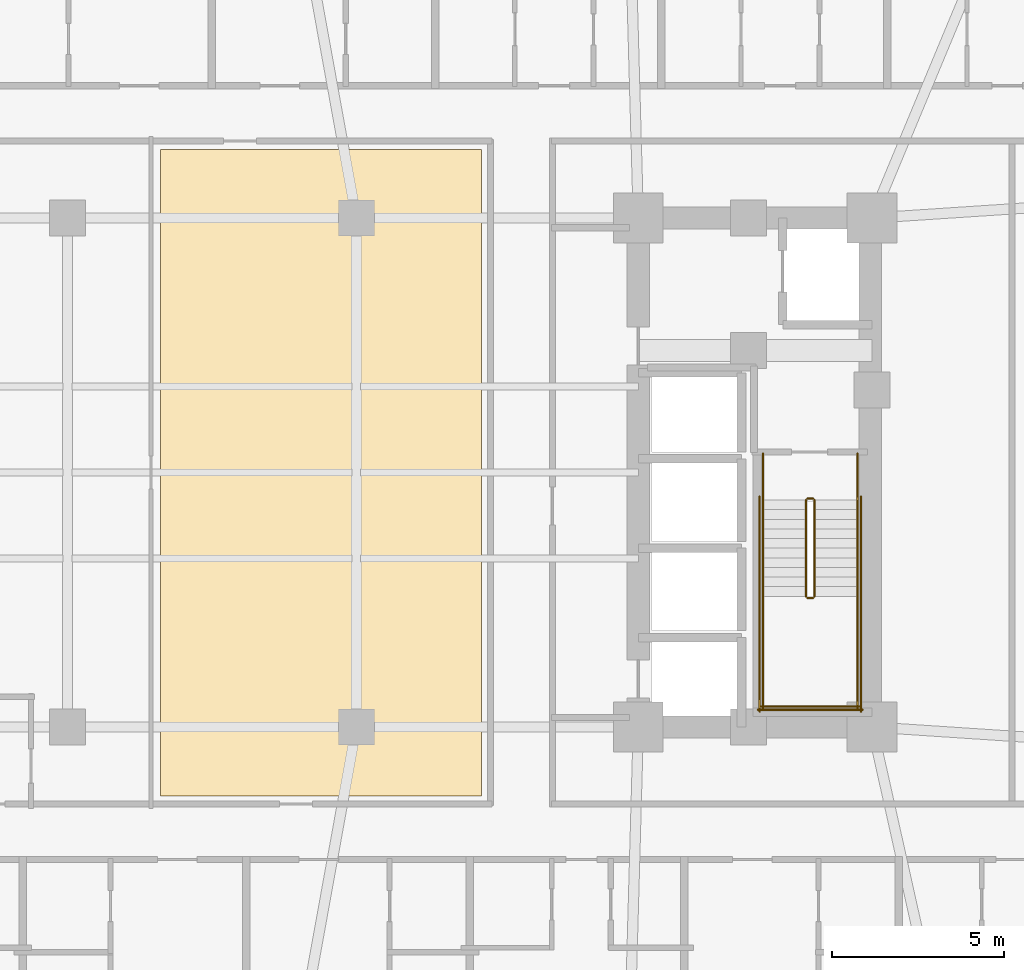
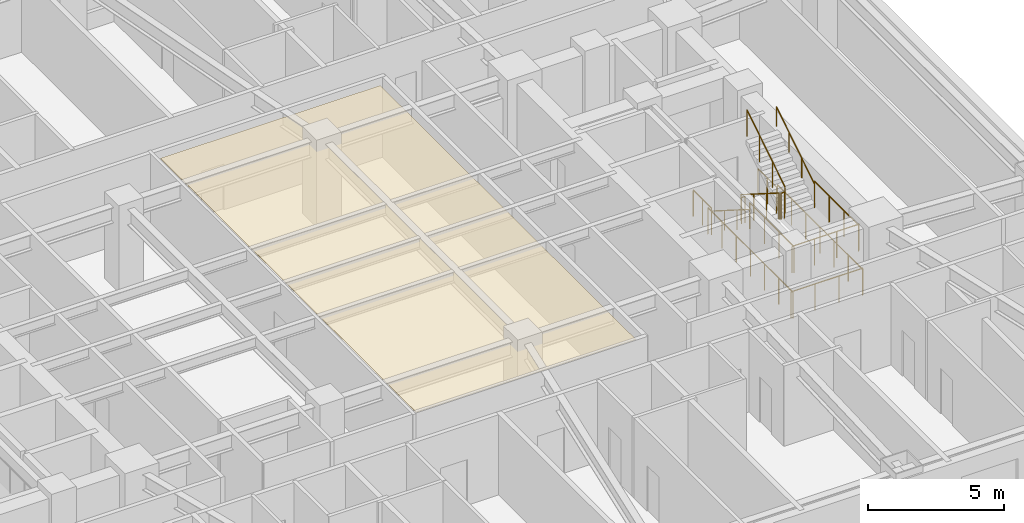
# One storey, part 11 of 11: 14 railings, 1 covering.
"""IFC4 building model written with IfcOpenShell, lengths in metres."""

from ifc_helpers import new_model, si_unit, direction, frame, origin, origin_2d, place, context, subcontext, project, spatial, polyline, circle, outline, extrude, material, layer, layer_set, type_object, element, save


model = new_model("IFC4")

# Units and contexts
model_context = context("Model", 3, precision=1e-05, world=origin(), true_north=direction((0.0, 1.0)))
body_context = subcontext(model_context, "Body", "Model", "MODEL_VIEW")
ifc_project = project(units=[si_unit("LENGTHUNIT", "METRE"), si_unit("AREAUNIT", "SQUARE_METRE"), si_unit("VOLUMEUNIT", "CUBIC_METRE"), si_unit("PLANEANGLEUNIT", "RADIAN"), si_unit("MASSUNIT", "GRAM", prefix="KILO")], contexts=[model_context])

# Site, building, storey
site_placement = place(None, origin())
site = spatial("IfcSite", under=ifc_project, at=site_placement, CompositionType="ELEMENT")
building_placement = place(site_placement, origin())
building = spatial("IfcBuilding", under=site, at=building_placement, Name="Voryun Gate Residences", CompositionType="ELEMENT")
storey_placement = place(building_placement, frame((0.0, 0.0, 76.699951171875)))
storey = spatial("IfcBuildingStorey", under=building, at=storey_placement, Name="L18", CompositionType="ELEMENT", Elevation=76.699951171875)

# Covering
ifc_material_1 = material(Name="Gypsum acoustic ceiling")
ifc_layer = layer(ifc_material_1, 0.02490234375, Name="COV_CEILING_ACOUSTIC")
ifc_layer_set = layer_set([ifc_layer], Name="Gypsum acoustic ceiling")
covering_type = type_object("IfcCoveringType", Name="COV_CEILING_ACOUSTIC", PredefinedType="CEILING", material=ifc_layer_set)
covering_placement = place(storey_placement, frame((0.0, 0.0, 3.35009765625)))
element("IfcCovering", 1, at=covering_placement, inside=storey, type_object=covering_type, Name="Acoustic ceiling CLG-L18-01", PredefinedType="CEILING", context=body_context, shape_type="SweptSolid", body=[
    extrude(outline(polyline([(-1.492919921875, 9.39990234375), (7.840087890625, 9.39990234375), (7.840087890625, -9.39990234375), (-1.492919921875, -9.39990234375), (-1.492919921875, 9.39990234375)])), origin(), (0.0, 0.0, 1.0), 0.02490234375),
])

# Railings
ifc_material_2 = material(Name="Painted steel", Category="steel")
railing_type_1 = type_object("IfcRailingType", Name="RAIL_STAIR_GUARD_1200", PredefinedType="GUARDRAIL", material=ifc_material_2)
railing_1_placement = place(storey_placement, frame((17.27490234375, -0.800048828125, 0.17724609375)))
element("IfcRailing", 2, at=railing_1_placement, inside=storey, type_object=railing_type_1, Name="L18 ST-E1 stair guard 1", PredefinedType="GUARDRAIL", context=body_context, shape_type="SweptSolid", body=[
    extrude(circle(Radius=0.02392578125, at=origin_2d()), frame((0.0, 0.0, 1.17578125), z_axis=(0.0, -0.844908973607, 0.534910110503), x_axis=(1.0, 0.0, 0.0)), (0.0, 0.0, 1.0), 3.31396484375),
    extrude(circle(Radius=0.02099609375, at=origin_2d()), origin(), (0.0, 0.0, 1.0), 1.15185546875),
    extrude(circle(Radius=0.02099609375, at=origin_2d()), frame((0.0, -0.933349609375, 0.5908203125)), (0.0, 0.0, 1.0), 1.15185546875),
    extrude(circle(Radius=0.02099609375, at=origin_2d()), frame((0.0, -1.86669921875, 1.181884765625)), (0.0, 0.0, 1.0), 1.15185546875),
    extrude(circle(Radius=0.02099609375, at=origin_2d()), frame((0.0, -2.800048828125, 1.772705078125)), (0.0, 0.0, 1.0), 1.15185546875),
])
railing_2_placement = place(storey_placement, frame((17.324951171875, -3.64990234375, 1.949951171875)))
element("IfcRailing", 3, at=railing_2_placement, inside=storey, type_object=railing_type_1, Name="L18 ST-E1 stair guard 2", PredefinedType="GUARDRAIL", context=body_context, shape_type="SweptSolid", body=[
    extrude(circle(Radius=0.02392578125, at=origin_2d()), frame((0.0, 0.0, 1.17578125), z_axis=(1.0, 0.0, 0.0), x_axis=(0.0, 1.0, 0.0)), (0.0, 0.0, 1.0), 0.150146484375),
    extrude(circle(Radius=0.02099609375, at=origin_2d()), origin(), (0.0, 0.0, 1.0), 1.15185546875),
    extrude(circle(Radius=0.02099609375, at=origin_2d()), frame((0.150146484375, 0.0, 0.0)), (0.0, 0.0, 1.0), 1.15185546875),
])
for number, where, name in (
    (4, (16.02490234375, -3.60009765625, 1.949951171875), "L18 ST-E1 stair guard 3"),
    (5, (18.77490234375, -3.60009765625, 1.949951171875), "L18 ST-E1 stair guard 4"),
):
    element("IfcRailing", number, at=place(storey_placement, frame(where)), inside=storey, type_object=railing_type_1, Name=name, PredefinedType="GUARDRAIL", context=body_context, shape_type="SweptSolid", body=[
        extrude(circle(Radius=0.02392578125, at=origin_2d()), frame((0.0, 0.0, 1.17578125), z_axis=(0.0, -1.0, 0.0), x_axis=(1.0, 0.0, 0.0)), (0.0, 0.0, 1.0), 3.25),
        extrude(circle(Radius=0.02099609375, at=origin_2d()), origin(), (0.0, 0.0, 1.0), 1.15185546875),
        extrude(circle(Radius=0.02099609375, at=origin_2d()), frame((0.0, -1.083251953125, 0.0)), (0.0, 0.0, 1.0), 1.15185546875),
        extrude(circle(Radius=0.02099609375, at=origin_2d()), frame((0.0, -2.166748046875, 0.0)), (0.0, 0.0, 1.0), 1.15185546875),
        extrude(circle(Radius=0.02099609375, at=origin_2d()), frame((0.0, -3.25, 0.0)), (0.0, 0.0, 1.0), 1.15185546875),
    ])
railing_3_placement = place(storey_placement, frame((15.97509765625, -6.800048828125, 1.949951171875)))
element("IfcRailing", 6, at=railing_3_placement, inside=storey, type_object=railing_type_1, Name="L18 ST-E1 stair guard 5", PredefinedType="GUARDRAIL", context=body_context, shape_type="SweptSolid", body=[
    extrude(circle(Radius=0.02392578125, at=origin_2d()), frame((0.0, 0.0, 1.17578125), z_axis=(1.0, 0.0, 0.0), x_axis=(0.0, 1.0, 0.0)), (0.0, 0.0, 1.0), 2.849853515625),
    extrude(circle(Radius=0.02099609375, at=origin_2d()), origin(), (0.0, 0.0, 1.0), 1.15185546875),
    extrude(circle(Radius=0.02099609375, at=origin_2d()), frame((0.949951171875, 0.0, 0.0)), (0.0, 0.0, 1.0), 1.15185546875),
    extrude(circle(Radius=0.02099609375, at=origin_2d()), frame((1.89990234375, 0.0, 0.0)), (0.0, 0.0, 1.0), 1.15185546875),
    extrude(circle(Radius=0.02099609375, at=origin_2d()), frame((2.849853515625, 0.0, 0.0)), (0.0, 0.0, 1.0), 1.15185546875),
])
railing_4_placement = place(storey_placement, frame((17.52490234375, -3.60009765625, 2.12744140625)))
element("IfcRailing", 7, at=railing_4_placement, inside=storey, type_object=railing_type_1, Name="L18 ST-E1 stair guard 6", PredefinedType="GUARDRAIL", context=body_context, shape_type="SweptSolid", body=[
    extrude(circle(Radius=0.02392578125, at=origin_2d()), frame((0.0, 0.0, 1.17578125), z_axis=(0.0, 0.844908973607, 0.534910110503), x_axis=(-1.0, 0.0, 0.0)), (0.0, 0.0, 1.0), 3.31396484375),
    extrude(circle(Radius=0.02099609375, at=origin_2d()), origin(), (0.0, 0.0, 1.0), 1.15185546875),
    extrude(circle(Radius=0.02099609375, at=origin_2d()), frame((0.0, 0.933349609375, 0.5908203125)), (0.0, 0.0, 1.0), 1.15185546875),
    extrude(circle(Radius=0.02099609375, at=origin_2d()), frame((0.0, 1.86669921875, 1.181884765625)), (0.0, 0.0, 1.0), 1.15185546875),
    extrude(circle(Radius=0.02099609375, at=origin_2d()), frame((0.0, 2.800048828125, 1.772705078125)), (0.0, 0.0, 1.0), 1.15185546875),
])
railing_5_placement = place(storey_placement, frame((17.324951171875, -0.75, 0.0)))
element("IfcRailing", 8, at=railing_5_placement, inside=storey, type_object=railing_type_1, Name="L18 ST-E1 stair guard 7", PredefinedType="GUARDRAIL", context=body_context, shape_type="SweptSolid", body=[
    extrude(circle(Radius=0.02392578125, at=origin_2d()), frame((0.0, 0.0, 1.17578125), z_axis=(1.0, 0.0, 0.0), x_axis=(0.0, 1.0, 0.0)), (0.0, 0.0, 1.0), 0.150146484375),
    extrude(circle(Radius=0.02099609375, at=origin_2d()), origin(), (0.0, 0.0, 1.0), 1.15185546875),
    extrude(circle(Radius=0.02099609375, at=origin_2d()), frame((0.150146484375, 0.0, 0.0)), (0.0, 0.0, 1.0), 1.15185546875),
])
for number, where, name in (
    (9, (16.02490234375, 0.550048828125, 0.0), "L18 ST-E1 stair guard 8"),
    (10, (18.77490234375, 0.550048828125, 0.0), "L18 ST-E1 stair guard 9"),
):
    element("IfcRailing", number, at=place(storey_placement, frame(where)), inside=storey, type_object=railing_type_1, Name=name, PredefinedType="GUARDRAIL", context=body_context, shape_type="SweptSolid", body=[
        extrude(circle(Radius=0.02392578125, at=origin_2d()), frame((0.0, 0.0, 1.17578125), z_axis=(0.0, -1.0, 0.0), x_axis=(1.0, 0.0, 0.0)), (0.0, 0.0, 1.0), 1.35009765625),
        extrude(circle(Radius=0.02099609375, at=origin_2d()), origin(), (0.0, 0.0, 1.0), 1.15185546875),
        extrude(circle(Radius=0.02099609375, at=origin_2d()), frame((0.0, -0.675048828125, 0.0)), (0.0, 0.0, 1.0), 1.15185546875),
        extrude(circle(Radius=0.02099609375, at=origin_2d()), frame((0.0, -1.35009765625, 0.0)), (0.0, 0.0, 1.0), 1.15185546875),
    ])
for number, where, name in (
    (11, (15.925048828125, -0.699951171875, 0.0), "L18 ST-E1 stair guard 10"),
    (12, (18.875, -0.699951171875, 0.0), "L18 ST-E1 stair guard 11"),
):
    element("IfcRailing", number, at=place(storey_placement, frame(where)), inside=storey, type_object=railing_type_1, Name=name, PredefinedType="GUARDRAIL", context=body_context, shape_type="SweptSolid", body=[
        extrude(circle(Radius=0.02392578125, at=origin_2d()), frame((0.0, 0.0, 1.17578125), z_axis=(0.0, -1.0, 0.0), x_axis=(1.0, 0.0, 0.0)), (0.0, 0.0, 1.0), 6.25),
        extrude(circle(Radius=0.02099609375, at=origin_2d()), origin(), (0.0, 0.0, 1.0), 1.15185546875),
        extrude(circle(Radius=0.02099609375, at=origin_2d()), frame((0.0, -1.041748046875, 0.0)), (0.0, 0.0, 1.0), 1.15185546875),
        extrude(circle(Radius=0.02099609375, at=origin_2d()), frame((0.0, -2.083251953125, 0.0)), (0.0, 0.0, 1.0), 1.15185546875),
        extrude(circle(Radius=0.02099609375, at=origin_2d()), frame((0.0, -3.125, 0.0)), (0.0, 0.0, 1.0), 1.15185546875),
        extrude(circle(Radius=0.02099609375, at=origin_2d()), frame((0.0, -4.166748046875, 0.0)), (0.0, 0.0, 1.0), 1.15185546875),
        extrude(circle(Radius=0.02099609375, at=origin_2d()), frame((0.0, -5.208251953125, 0.0)), (0.0, 0.0, 1.0), 1.15185546875),
        extrude(circle(Radius=0.02099609375, at=origin_2d()), frame((0.0, -6.25, 0.0)), (0.0, 0.0, 1.0), 1.15185546875),
    ])
railing_6_placement = place(storey_placement, frame((15.875, -6.89990234375, 0.0)))
element("IfcRailing", 13, at=railing_6_placement, inside=storey, type_object=railing_type_1, Name="L18 ST-E1 stair guard 12", PredefinedType="GUARDRAIL", context=body_context, shape_type="SweptSolid", body=[
    extrude(circle(Radius=0.02392578125, at=origin_2d()), frame((0.0, 0.0, 1.17578125), z_axis=(1.0, 0.0, 0.0), x_axis=(0.0, 1.0, 0.0)), (0.0, 0.0, 1.0), 3.050048828125),
    extrude(circle(Radius=0.02099609375, at=origin_2d()), origin(), (0.0, 0.0, 1.0), 1.15185546875),
    extrude(circle(Radius=0.02099609375, at=origin_2d()), frame((1.0166015625, 0.0, 0.0)), (0.0, 0.0, 1.0), 1.15185546875),
    extrude(circle(Radius=0.02099609375, at=origin_2d()), frame((2.033447265625, 0.0, 0.0)), (0.0, 0.0, 1.0), 1.15185546875),
    extrude(circle(Radius=0.02099609375, at=origin_2d()), frame((3.050048828125, 0.0, 0.0)), (0.0, 0.0, 1.0), 1.15185546875),
])
ifc_material_3 = material(Name="Painted steel", Category="steel")
railing_type_2 = type_object("IfcRailingType", Name="RAIL_STAIR_HANDRAIL_900", PredefinedType="HANDRAIL", material=ifc_material_3)
railing_7_placement = place(storey_placement, frame((16.02490234375, -0.800048828125, 0.17724609375)))
element("IfcRailing", 14, at=railing_7_placement, inside=storey, type_object=railing_type_2, Name="L18 ST-E1 stair handrail 1", PredefinedType="HANDRAIL", context=body_context, shape_type="SweptSolid", body=[
    extrude(circle(Radius=0.02392578125, at=origin_2d()), frame((0.0, 0.0, 0.8759765625), z_axis=(0.0, -0.844908973607, 0.534910110503), x_axis=(1.0, 0.0, 0.0)), (0.0, 0.0, 1.0), 3.31396484375),
    extrude(circle(Radius=0.02099609375, at=origin_2d()), origin(), (0.0, 0.0, 1.0), 0.851806640625),
    extrude(circle(Radius=0.02099609375, at=origin_2d()), frame((0.0, -0.933349609375, 0.5908203125)), (0.0, 0.0, 1.0), 0.851806640625),
    extrude(circle(Radius=0.02099609375, at=origin_2d()), frame((0.0, -1.86669921875, 1.181884765625)), (0.0, 0.0, 1.0), 0.851806640625),
    extrude(circle(Radius=0.02099609375, at=origin_2d()), frame((0.0, -2.800048828125, 1.772705078125)), (0.0, 0.0, 1.0), 0.851806640625),
])
railing_8_placement = place(storey_placement, frame((18.77490234375, -3.60009765625, 2.12744140625)))
element("IfcRailing", 15, at=railing_8_placement, inside=storey, type_object=railing_type_2, Name="L18 ST-E1 stair handrail 2", PredefinedType="HANDRAIL", context=body_context, shape_type="SweptSolid", body=[
    extrude(circle(Radius=0.02392578125, at=origin_2d()), frame((0.0, 0.0, 0.8759765625), z_axis=(0.0, 0.844908973607, 0.534910110503), x_axis=(-1.0, 0.0, 0.0)), (0.0, 0.0, 1.0), 3.31396484375),
    extrude(circle(Radius=0.02099609375, at=origin_2d()), origin(), (0.0, 0.0, 1.0), 0.851806640625),
    extrude(circle(Radius=0.02099609375, at=origin_2d()), frame((0.0, 0.933349609375, 0.5908203125)), (0.0, 0.0, 1.0), 0.851806640625),
    extrude(circle(Radius=0.02099609375, at=origin_2d()), frame((0.0, 1.86669921875, 1.181884765625)), (0.0, 0.0, 1.0), 0.851806640625),
    extrude(circle(Radius=0.02099609375, at=origin_2d()), frame((0.0, 2.800048828125, 1.772705078125)), (0.0, 0.0, 1.0), 0.851806640625),
])

save(model, "model.ifc")
